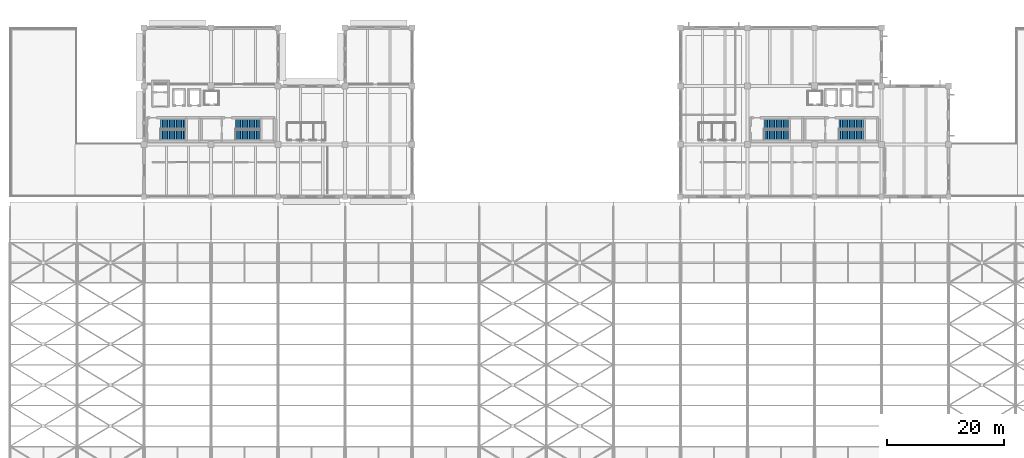
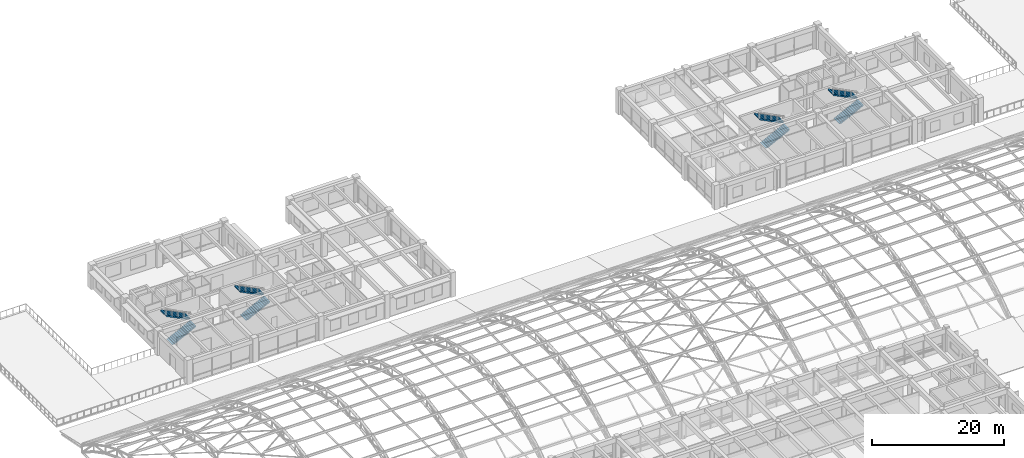
# One storey, part 143 of 154: 8 stair flights, 4 elements without a shape of their own.
"""IFC4 building model written with IfcOpenShell, lengths in metres."""

from ifc_helpers import new_model, si_unit, direction, frame, origin, place, context, subcontext, project, spatial, polyline, outline, extrude, material, type_object, element, aggregate, save


model = new_model("IFC4")

# Units and contexts
model_context = context("Model", 3, precision=1e-05, world=origin(), true_north=direction((0.0, 1.0)))
body_context = subcontext(model_context, "Body", "Model", "MODEL_VIEW")
ifc_project = project(units=[si_unit("LENGTHUNIT", "METRE"), si_unit("AREAUNIT", "SQUARE_METRE"), si_unit("VOLUMEUNIT", "CUBIC_METRE"), si_unit("PLANEANGLEUNIT", "RADIAN"), si_unit("MASSUNIT", "GRAM", prefix="KILO")], contexts=[model_context])

# Site, building, storey
site_placement = place(None, origin())
site = spatial("IfcSite", under=ifc_project, at=site_placement, CompositionType="ELEMENT")
building_placement = place(site_placement, origin())
building = spatial("IfcBuilding", under=site, at=building_placement, Name="Ologun Quay Terminus", CompositionType="ELEMENT")
storey_placement = place(building_placement, frame((0.0, 0.0, 13.800048828125)))
storey = spatial("IfcBuildingStorey", under=building, at=storey_placement, Name="L03", CompositionType="ELEMENT", Elevation=13.800048828125)

# Stair, stair flights
ifc_material_1 = material(Name="Concrete C40/50", Category="concrete")
stair_type = type_object("IfcStairType", Name="Courtyard Wing Core Escape Stair 1700", PredefinedType="HALF_TURN_STAIR", material=ifc_material_1)
stair_1_placement = place(storey_placement, origin())
stair_1 = element("IfcStair", 1, at=stair_1_placement, inside=storey, type_object=stair_type, Name="ST-W1 Stair L03", PredefinedType="HALF_TURN_STAIR")
ifc_material_2 = material(Name="Concrete C40/50", Category="concrete")
stair_flight_type = type_object("IfcStairFlightType", Name="Courtyard Wing Precast Concrete Stair Flight 1700", PredefinedType="STRAIGHT", material=ifc_material_2)
stair_flight_1_placement = place(storey_placement, frame((25.85009765625, 96.449951171875, 0.0), z_axis=(0.0, 0.0, 1.0), x_axis=(1.0, 0.0, 0.0)))
stair_flight_1 = element("IfcStairFlight", 2, at=stair_flight_1_placement, type_object=stair_flight_type, Name="ST-W1 Lower Flight L03", NumberOfRisers=15, NumberOfTreads=14, PredefinedType="STRAIGHT", RiserHeight=0.15, TreadLength=0.3, context=body_context, shape_type="SweptSolid", body=[
    extrude(outline(polyline([(0.0, 0.0), (0.0, 0.14990234375), (0.300048828125, 0.14990234375), (0.300048828125, 0.300048828125), (0.60009765625, 0.300048828125), (0.60009765625, 0.449951171875), (0.89990234375, 0.449951171875), (0.89990234375, 0.60009765625), (1.199951171875, 0.60009765625), (1.199951171875, 0.75), (1.5, 0.75), (1.5, 0.89990234375), (1.800048828125, 0.89990234375), (1.800048828125, 1.050048828125), (2.10009765625, 1.050048828125), (2.10009765625, 1.199951171875), (2.39990234375, 1.199951171875), (2.39990234375, 1.35009765625), (2.699951171875, 1.35009765625), (2.699951171875, 1.5), (3.0, 1.5), (3.0, 1.64990234375), (3.300048828125, 1.64990234375), (3.300048828125, 1.800048828125), (3.60009765625, 1.800048828125), (3.60009765625, 1.949951171875), (3.89990234375, 1.949951171875), (3.89990234375, 2.10009765625), (4.199951171875, 2.10009765625), (4.199951171875, 2.25), (4.199951171875, 1.89892578125), (0.40234375, 0.0), (0.0, 0.0)])), frame((0.0, 0.85009765625, 0.0), z_axis=(0.0, -1.0, 0.0), x_axis=(1.0, 0.0, 0.0)), (0.0, 0.0, 1.0), 1.699951171875),
])
stair_flight_2_placement = place(storey_placement, frame((30.050048828125, 98.25, 2.25), z_axis=(0.0, 0.0, 1.0), x_axis=(-1.0, 0.0, 0.0)))
stair_flight_2 = element("IfcStairFlight", 3, at=stair_flight_2_placement, type_object=stair_flight_type, Name="ST-W1 Upper Flight L03", NumberOfRisers=15, NumberOfTreads=14, PredefinedType="STRAIGHT", RiserHeight=0.15, TreadLength=0.3, context=body_context, shape_type="SweptSolid", body=[
    extrude(outline(polyline([(0.0, 0.0), (0.0, 0.14990234375), (0.300048828125, 0.14990234375), (0.300048828125, 0.300048828125), (0.60009765625, 0.300048828125), (0.60009765625, 0.449951171875), (0.89990234375, 0.449951171875), (0.89990234375, 0.60009765625), (1.199951171875, 0.60009765625), (1.199951171875, 0.75), (1.5, 0.75), (1.5, 0.89990234375), (1.800048828125, 0.89990234375), (1.800048828125, 1.050048828125), (2.10009765625, 1.050048828125), (2.10009765625, 1.199951171875), (2.39990234375, 1.199951171875), (2.39990234375, 1.35009765625), (2.699951171875, 1.35009765625), (2.699951171875, 1.5), (3.0, 1.5), (3.0, 1.64990234375), (3.300048828125, 1.64990234375), (3.300048828125, 1.800048828125), (3.60009765625, 1.800048828125), (3.60009765625, 1.949951171875), (3.89990234375, 1.949951171875), (3.89990234375, 2.10009765625), (4.199951171875, 2.10009765625), (4.199951171875, 2.25), (4.199951171875, 1.89892578125), (0.40234375, 0.0), (0.0, 0.0)])), frame((0.0, 0.85009765625, 0.0), z_axis=(0.0, -1.0, 0.0), x_axis=(1.0, 0.0, 0.0)), (0.0, 0.0, 1.0), 1.699951171875),
])
aggregate(stair_1, [stair_flight_1, stair_flight_2])

stair_2_placement = place(storey_placement, origin())
stair_2 = element("IfcStair", 4, at=stair_2_placement, inside=storey, type_object=stair_type, Name="ST-W2 Stair L03", PredefinedType="HALF_TURN_STAIR")
stair_flight_3_placement = place(storey_placement, frame((38.699951171875, 96.449951171875, 0.0), z_axis=(0.0, 0.0, 1.0), x_axis=(1.0, 0.0, 0.0)))
stair_flight_3 = element("IfcStairFlight", 5, at=stair_flight_3_placement, type_object=stair_flight_type, Name="ST-W2 Lower Flight L03", NumberOfRisers=15, NumberOfTreads=14, PredefinedType="STRAIGHT", RiserHeight=0.15, TreadLength=0.3, context=body_context, shape_type="SweptSolid", body=[
    extrude(outline(polyline([(0.0, 0.0), (0.0, 0.14990234375), (0.300048828125, 0.14990234375), (0.300048828125, 0.300048828125), (0.60009765625, 0.300048828125), (0.60009765625, 0.449951171875), (0.89990234375, 0.449951171875), (0.89990234375, 0.60009765625), (1.199951171875, 0.60009765625), (1.199951171875, 0.75), (1.5, 0.75), (1.5, 0.89990234375), (1.800048828125, 0.89990234375), (1.800048828125, 1.050048828125), (2.10009765625, 1.050048828125), (2.10009765625, 1.199951171875), (2.39990234375, 1.199951171875), (2.39990234375, 1.35009765625), (2.699951171875, 1.35009765625), (2.699951171875, 1.5), (3.0, 1.5), (3.0, 1.64990234375), (3.300048828125, 1.64990234375), (3.300048828125, 1.800048828125), (3.60009765625, 1.800048828125), (3.60009765625, 1.949951171875), (3.89990234375, 1.949951171875), (3.89990234375, 2.10009765625), (4.199951171875, 2.10009765625), (4.199951171875, 2.25), (4.199951171875, 1.89892578125), (0.40234375, 0.0), (0.0, 0.0)])), frame((0.0, 0.85009765625, 0.0), z_axis=(0.0, -1.0, 0.0), x_axis=(1.0, 0.0, 0.0)), (0.0, 0.0, 1.0), 1.699951171875),
])
stair_flight_4_placement = place(storey_placement, frame((42.89990234375, 98.25, 2.25), z_axis=(0.0, 0.0, 1.0), x_axis=(-1.0, 0.0, 0.0)))
stair_flight_4 = element("IfcStairFlight", 6, at=stair_flight_4_placement, type_object=stair_flight_type, Name="ST-W2 Upper Flight L03", NumberOfRisers=15, NumberOfTreads=14, PredefinedType="STRAIGHT", RiserHeight=0.15, TreadLength=0.3, context=body_context, shape_type="SweptSolid", body=[
    extrude(outline(polyline([(0.0, 0.0), (0.0, 0.14990234375), (0.300048828125, 0.14990234375), (0.300048828125, 0.300048828125), (0.60009765625, 0.300048828125), (0.60009765625, 0.449951171875), (0.89990234375, 0.449951171875), (0.89990234375, 0.60009765625), (1.199951171875, 0.60009765625), (1.199951171875, 0.75), (1.5, 0.75), (1.5, 0.89990234375), (1.800048828125, 0.89990234375), (1.800048828125, 1.050048828125), (2.10009765625, 1.050048828125), (2.10009765625, 1.199951171875), (2.39990234375, 1.199951171875), (2.39990234375, 1.35009765625), (2.699951171875, 1.35009765625), (2.699951171875, 1.5), (3.0, 1.5), (3.0, 1.64990234375), (3.300048828125, 1.64990234375), (3.300048828125, 1.800048828125), (3.60009765625, 1.800048828125), (3.60009765625, 1.949951171875), (3.89990234375, 1.949951171875), (3.89990234375, 2.10009765625), (4.199951171875, 2.10009765625), (4.199951171875, 2.25), (4.199951171875, 1.89892578125), (0.40234375, 0.0), (0.0, 0.0)])), frame((0.0, 0.85009765625, 0.0), z_axis=(0.0, -1.0, 0.0), x_axis=(1.0, 0.0, 0.0)), (0.0, 0.0, 1.0), 1.699951171875),
])
aggregate(stair_2, [stair_flight_3, stair_flight_4])

stair_3_placement = place(storey_placement, origin())
stair_3 = element("IfcStair", 7, at=stair_3_placement, inside=storey, type_object=stair_type, Name="ST-E1 Stair L03", PredefinedType="HALF_TURN_STAIR")
stair_flight_5_placement = place(storey_placement, frame((129.35009765625, 96.449951171875, 0.0), z_axis=(0.0, 0.0, 1.0), x_axis=(1.0, 0.0, 0.0)))
stair_flight_5 = element("IfcStairFlight", 8, at=stair_flight_5_placement, type_object=stair_flight_type, Name="ST-E1 Lower Flight L03", NumberOfRisers=15, NumberOfTreads=14, PredefinedType="STRAIGHT", RiserHeight=0.15, TreadLength=0.3, context=body_context, shape_type="SweptSolid", body=[
    extrude(outline(polyline([(0.0, 0.0), (0.0, 0.14990234375), (0.300048828125, 0.14990234375), (0.300048828125, 0.300048828125), (0.60009765625, 0.300048828125), (0.60009765625, 0.449951171875), (0.89990234375, 0.449951171875), (0.89990234375, 0.60009765625), (1.199951171875, 0.60009765625), (1.199951171875, 0.75), (1.5, 0.75), (1.5, 0.89990234375), (1.800048828125, 0.89990234375), (1.800048828125, 1.050048828125), (2.10009765625, 1.050048828125), (2.10009765625, 1.199951171875), (2.39990234375, 1.199951171875), (2.39990234375, 1.35009765625), (2.699951171875, 1.35009765625), (2.699951171875, 1.5), (3.0, 1.5), (3.0, 1.64990234375), (3.300048828125, 1.64990234375), (3.300048828125, 1.800048828125), (3.60009765625, 1.800048828125), (3.60009765625, 1.949951171875), (3.89990234375, 1.949951171875), (3.89990234375, 2.10009765625), (4.199951171875, 2.10009765625), (4.199951171875, 2.25), (4.199951171875, 1.89892578125), (0.40234375, 0.0), (0.0, 0.0)])), frame((0.0, 0.85009765625, 0.0), z_axis=(0.0, -1.0, 0.0), x_axis=(1.0, 0.0, 0.0)), (0.0, 0.0, 1.0), 1.699951171875),
])
stair_flight_6_placement = place(storey_placement, frame((133.550048828125, 98.25, 2.25), z_axis=(0.0, 0.0, 1.0), x_axis=(-1.0, 0.0, 0.0)))
stair_flight_6 = element("IfcStairFlight", 9, at=stair_flight_6_placement, type_object=stair_flight_type, Name="ST-E1 Upper Flight L03", NumberOfRisers=15, NumberOfTreads=14, PredefinedType="STRAIGHT", RiserHeight=0.15, TreadLength=0.3, context=body_context, shape_type="SweptSolid", body=[
    extrude(outline(polyline([(0.0, 0.0), (0.0, 0.14990234375), (0.300048828125, 0.14990234375), (0.300048828125, 0.300048828125), (0.60009765625, 0.300048828125), (0.60009765625, 0.449951171875), (0.89990234375, 0.449951171875), (0.89990234375, 0.60009765625), (1.199951171875, 0.60009765625), (1.199951171875, 0.75), (1.5, 0.75), (1.5, 0.89990234375), (1.800048828125, 0.89990234375), (1.800048828125, 1.050048828125), (2.10009765625, 1.050048828125), (2.10009765625, 1.199951171875), (2.39990234375, 1.199951171875), (2.39990234375, 1.35009765625), (2.699951171875, 1.35009765625), (2.699951171875, 1.5), (3.0, 1.5), (3.0, 1.64990234375), (3.300048828125, 1.64990234375), (3.300048828125, 1.800048828125), (3.60009765625, 1.800048828125), (3.60009765625, 1.949951171875), (3.89990234375, 1.949951171875), (3.89990234375, 2.10009765625), (4.199951171875, 2.10009765625), (4.199951171875, 2.25), (4.199951171875, 1.89892578125), (0.40234375, 0.0), (0.0, 0.0)])), frame((0.0, 0.85009765625, 0.0), z_axis=(0.0, -1.0, 0.0), x_axis=(1.0, 0.0, 0.0)), (0.0, 0.0, 1.0), 1.699951171875),
])
aggregate(stair_3, [stair_flight_5, stair_flight_6])

stair_4_placement = place(storey_placement, origin())
stair_4 = element("IfcStair", 10, at=stair_4_placement, inside=storey, type_object=stair_type, Name="ST-E2 Stair L03", PredefinedType="HALF_TURN_STAIR")
stair_flight_7_placement = place(storey_placement, frame((142.199951171875, 96.449951171875, 0.0), z_axis=(0.0, 0.0, 1.0), x_axis=(1.0, 0.0, 0.0)))
stair_flight_7 = element("IfcStairFlight", 11, at=stair_flight_7_placement, type_object=stair_flight_type, Name="ST-E2 Lower Flight L03", NumberOfRisers=15, NumberOfTreads=14, PredefinedType="STRAIGHT", RiserHeight=0.15, TreadLength=0.3, context=body_context, shape_type="SweptSolid", body=[
    extrude(outline(polyline([(0.0, 0.0), (0.0, 0.14990234375), (0.300048828125, 0.14990234375), (0.300048828125, 0.300048828125), (0.60009765625, 0.300048828125), (0.60009765625, 0.449951171875), (0.89990234375, 0.449951171875), (0.89990234375, 0.60009765625), (1.199951171875, 0.60009765625), (1.199951171875, 0.75), (1.5, 0.75), (1.5, 0.89990234375), (1.800048828125, 0.89990234375), (1.800048828125, 1.050048828125), (2.10009765625, 1.050048828125), (2.10009765625, 1.199951171875), (2.39990234375, 1.199951171875), (2.39990234375, 1.35009765625), (2.699951171875, 1.35009765625), (2.699951171875, 1.5), (3.0, 1.5), (3.0, 1.64990234375), (3.300048828125, 1.64990234375), (3.300048828125, 1.800048828125), (3.60009765625, 1.800048828125), (3.60009765625, 1.949951171875), (3.89990234375, 1.949951171875), (3.89990234375, 2.10009765625), (4.199951171875, 2.10009765625), (4.199951171875, 2.25), (4.199951171875, 1.89892578125), (0.40234375, 0.0), (0.0, 0.0)])), frame((0.0, 0.85009765625, 0.0), z_axis=(0.0, -1.0, 0.0), x_axis=(1.0, 0.0, 0.0)), (0.0, 0.0, 1.0), 1.699951171875),
])
stair_flight_8_placement = place(storey_placement, frame((146.39990234375, 98.25, 2.25), z_axis=(0.0, 0.0, 1.0), x_axis=(-1.0, 0.0, 0.0)))
stair_flight_8 = element("IfcStairFlight", 12, at=stair_flight_8_placement, type_object=stair_flight_type, Name="ST-E2 Upper Flight L03", NumberOfRisers=15, NumberOfTreads=14, PredefinedType="STRAIGHT", RiserHeight=0.15, TreadLength=0.3, context=body_context, shape_type="SweptSolid", body=[
    extrude(outline(polyline([(0.0, 0.0), (0.0, 0.14990234375), (0.300048828125, 0.14990234375), (0.300048828125, 0.300048828125), (0.60009765625, 0.300048828125), (0.60009765625, 0.449951171875), (0.89990234375, 0.449951171875), (0.89990234375, 0.60009765625), (1.199951171875, 0.60009765625), (1.199951171875, 0.75), (1.5, 0.75), (1.5, 0.89990234375), (1.800048828125, 0.89990234375), (1.800048828125, 1.050048828125), (2.10009765625, 1.050048828125), (2.10009765625, 1.199951171875), (2.39990234375, 1.199951171875), (2.39990234375, 1.35009765625), (2.699951171875, 1.35009765625), (2.699951171875, 1.5), (3.0, 1.5), (3.0, 1.64990234375), (3.300048828125, 1.64990234375), (3.300048828125, 1.800048828125), (3.60009765625, 1.800048828125), (3.60009765625, 1.949951171875), (3.89990234375, 1.949951171875), (3.89990234375, 2.10009765625), (4.199951171875, 2.10009765625), (4.199951171875, 2.25), (4.199951171875, 1.89892578125), (0.40234375, 0.0), (0.0, 0.0)])), frame((0.0, 0.85009765625, 0.0), z_axis=(0.0, -1.0, 0.0), x_axis=(1.0, 0.0, 0.0)), (0.0, 0.0, 1.0), 1.699951171875),
])
aggregate(stair_4, [stair_flight_7, stair_flight_8])

save(model, "model.ifc")
